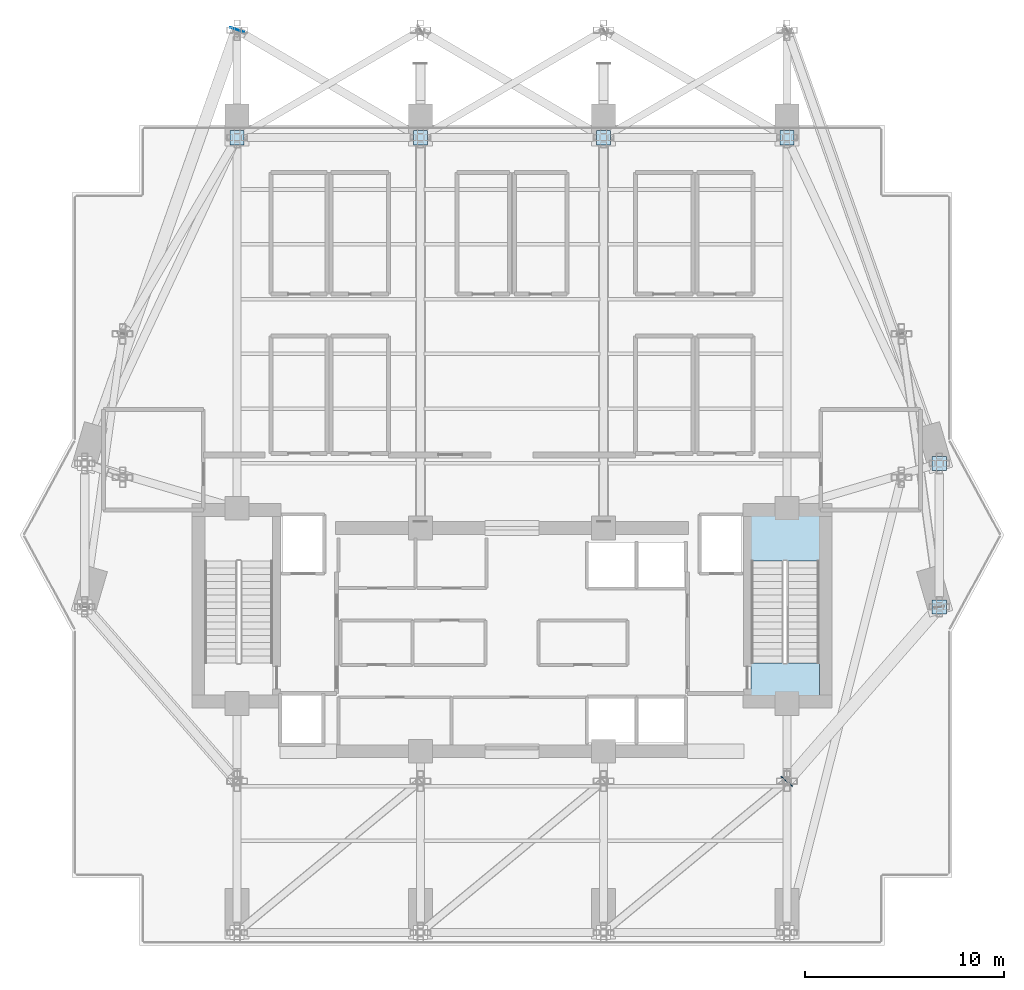
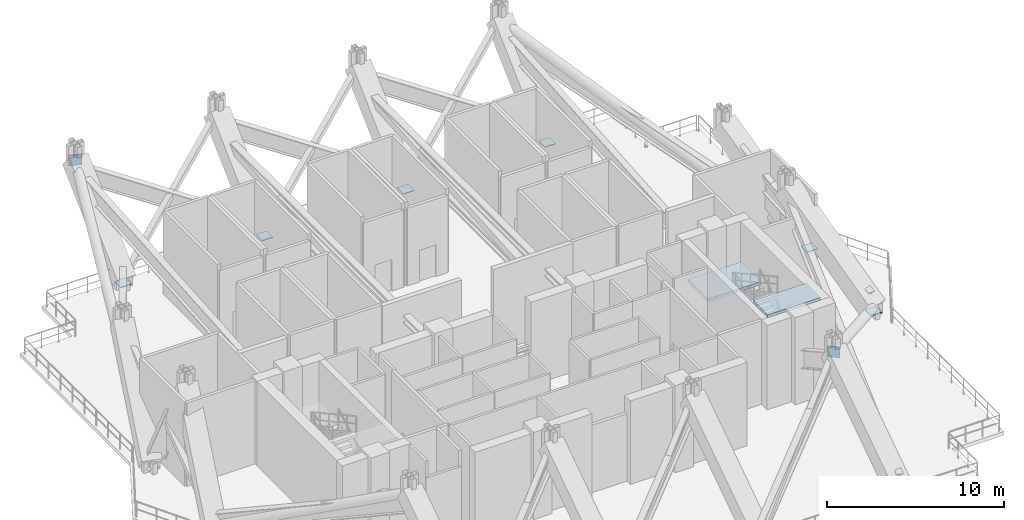
# One storey, part 9 of 18: 8 plates, 2 slabs, 1 element without a shape of its own.
"""IFC4 building model written with IfcOpenShell, lengths in metres."""

from ifc_helpers import new_model, si_unit, direction, frame, origin, origin_2d, place, context, subcontext, project, spatial, polyline, rectangle, outline, extrude, material, layer, layer_set, type_object, element, aggregate, save


model = new_model("IFC4")

# Units and contexts
model_context = context("Model", 3, precision=1e-05, world=origin(), true_north=direction((0.0, 1.0)))
body_context = subcontext(model_context, "Body", "Model", "MODEL_VIEW")
ifc_project = project(units=[si_unit("LENGTHUNIT", "METRE"), si_unit("AREAUNIT", "SQUARE_METRE"), si_unit("VOLUMEUNIT", "CUBIC_METRE"), si_unit("PLANEANGLEUNIT", "RADIAN"), si_unit("MASSUNIT", "GRAM", prefix="KILO")], contexts=[model_context])

# Site, building, storey
site_placement = place(None, origin())
site = spatial("IfcSite", under=ifc_project, at=site_placement, CompositionType="ELEMENT")
building_placement = place(site_placement, origin())
building = spatial("IfcBuilding", under=site, at=building_placement, Name="Zuhayl Quay Hotel", CompositionType="ELEMENT")
storey_placement = place(building_placement, frame((0.0, 0.0, 233.64990234375)))
storey = spatial("IfcBuildingStorey", under=building, at=storey_placement, Name="L59", CompositionType="ELEMENT", Elevation=233.64990234375)

# Stair, slabs
ifc_material_1 = material(Name="Concrete C45/55", Category="concrete")
stair_type = type_object("IfcStairType", Name="ST_DOGLEG_TOWER", PredefinedType="HALF_TURN_STAIR", material=ifc_material_1)
stair_placement = place(storey_placement, origin())
stair = element("IfcStair", 1, at=stair_placement, inside=storey, type_object=stair_type, Name="L59 Smokeproof Exit Stair ST2", PredefinedType="HALF_TURN_STAIR")
ifc_layer_1 = layer(ifc_material_1, 0.199951171875, Name="Concrete C45/55", Category="concrete")
ifc_layer_set_1 = layer_set([ifc_layer_1], Name="Concrete C45/55")
slab_type = type_object("IfcSlabType", Name="SL_STAIR_LANDING_200", PredefinedType="LANDING", material=ifc_layer_set_1)
slab_1_placement = place(storey_placement, frame((0.0, 0.0, 2.800048828125)))
slab_1 = element("IfcSlab", 2, at=slab_1_placement, type_object=slab_type, Name="ST2 landing 1", PredefinedType="LANDING", context=body_context, shape_type="SweptSolid", body=[
    extrude(outline(polyline([(15.429931640625, 11.68994140625), (15.429931640625, 13.949951171875), (12.0, 13.949951171875), (12.0, 11.68994140625), (15.429931640625, 11.68994140625)])), origin(), (0.0, 0.0, 1.0), 0.199951171875),
])
slab_2_placement = place(storey_placement, frame((0.0, 0.0, 5.800048828125)))
slab_2 = element("IfcSlab", 3, at=slab_2_placement, type_object=slab_type, Name="ST2 landing 2", PredefinedType="LANDING", context=body_context, shape_type="SweptSolid", body=[
    extrude(outline(polyline([(15.429931640625, 4.949951171875), (15.429931640625, 6.590087890625), (12.0, 6.590087890625), (12.0, 4.949951171875), (15.429931640625, 4.949951171875)])), origin(), (0.0, 0.0, 1.0), 0.199951171875),
])
aggregate(stair, [slab_1, slab_2])

# Plates
ifc_material_2 = material(Name="Steel ASTM A572 Grade 50", Category="steel")
ifc_layer_2 = layer(ifc_material_2, 0.0400390625, Name="Steel ASTM A572 Grade 50", Category="steel")
ifc_layer_set_2 = layer_set([ifc_layer_2], Name="Steel ASTM A572 Grade 50")
plate_type = type_object("IfcPlateType", Name="TP_CAP_PLATE_40", PredefinedType="USERDEFINED", material=ifc_layer_set_2)
for number, where, z_axis, x_axis, name in (
    (4, (-13.800048828125, 32.949951171875, 0.24609375), (0.0, 0.0, 1.0), (1.0, 0.0, 0.0), "Truss Node Cap Assembly KN1"),
    (5, (-4.60009765625, 32.949951171875, 0.24609375), (0.0, 0.0, 1.0), (1.0, 0.0, 0.0), "Truss Node Cap Assembly KN1"),
    (6, (4.60009765625, 32.949951171875, 0.24609375), (0.0, 0.0, 1.0), (1.0, 0.0, 0.0), "Truss Node Cap Assembly KN1"),
    (7, (13.800048828125, 32.949951171875, 0.24609375), (0.0, 0.0, 1.0), (1.0, 0.0, 0.0), "Truss Node Cap Assembly KN1"),
    (8, (21.449951171875, 9.39990234375, 0.24609375), (0.0, 0.0, 1.0), (1.0, 0.0, 0.0), "Truss Node Cap Assembly KN1"),
    (9, (21.449951171875, 16.60009765625, 0.24609375), (0.0, 0.0, 1.0), (1.0, 0.0, 0.0), "Truss Node Cap Assembly KN1"),
):
    element("IfcPlate", number, at=place(storey_placement, frame(where, z_axis=z_axis, x_axis=x_axis)), inside=storey, type_object=plate_type, Name=name, ObjectType="GUSSET PLATE", PredefinedType="USERDEFINED", context=body_context, shape_type="SweptSolid", body=[
        extrude(rectangle(XDim=0.708984375, YDim=0.708984375, at=origin_2d()), origin(), (0.0, 0.0, 1.0), 0.0400390625),
    ])
for number, where, z_axis, x_axis, name in (
    (10, (-13.794921875, 38.36474609375, 5.078369140625), (0.0, 0.0, 1.0), (0.331831864835, 0.943338546589, 0.0), "Truss Node Cap Assembly KN1"),
    (11, (13.790283203125, 0.638916015625, 5.081298828125), (0.0, 0.0, 1.0), (-0.658164014943, -0.752874577493, 0.0), "Truss Node Cap Assembly KN1"),
):
    element("IfcPlate", number, at=place(storey_placement, frame(where, z_axis=z_axis, x_axis=x_axis)), inside=storey, type_object=plate_type, Name=name, ObjectType="GUSSET PLATE", PredefinedType="USERDEFINED", context=body_context, shape_type="SweptSolid", body=[
        extrude(rectangle(XDim=0.0400390625, YDim=0.75, at=origin_2d()), origin(), (0.0, 0.0, 1.0), 0.75),
    ])

save(model, "model.ifc")
